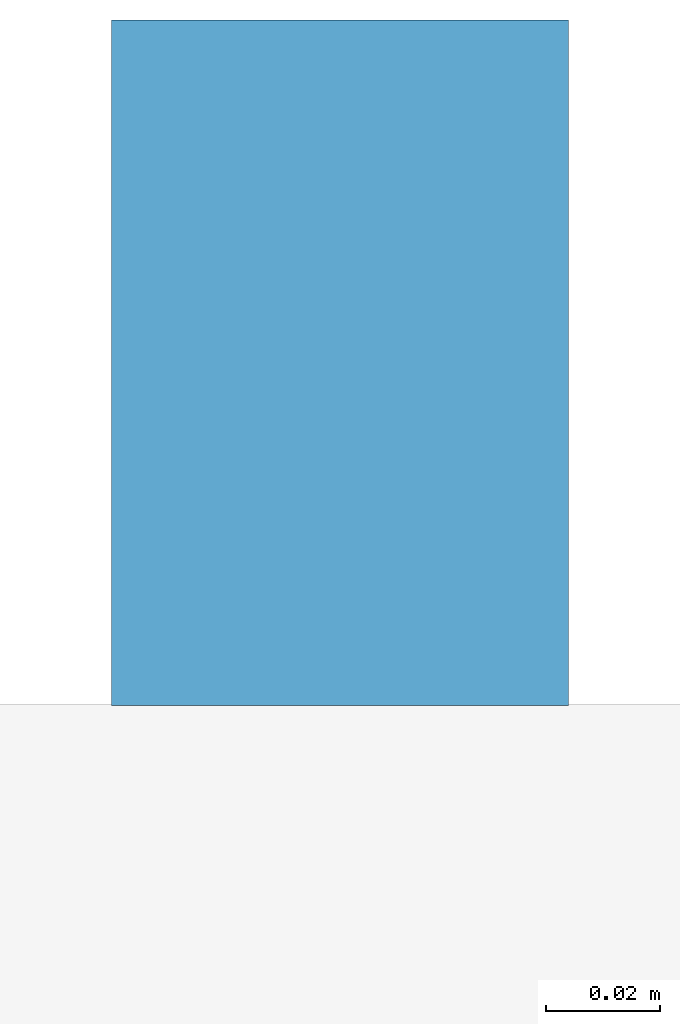
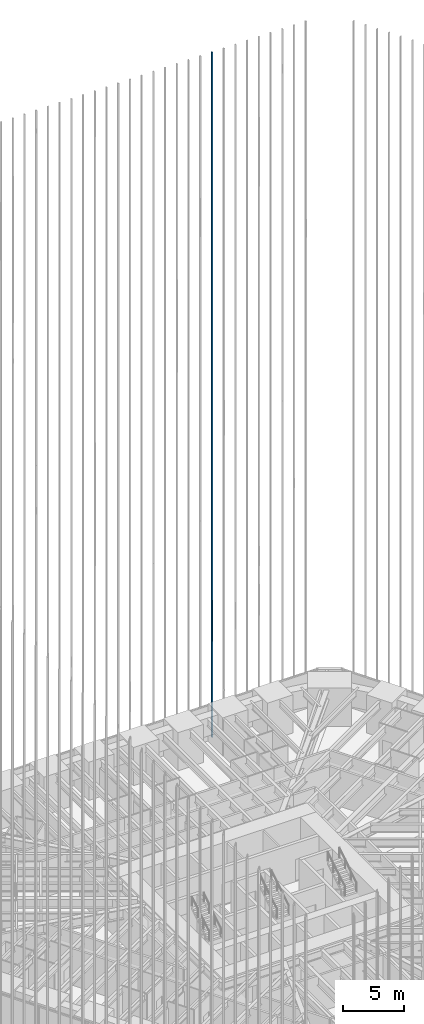
# One storey, part 226 of 256: 1 member, 1 element without a shape of its own.
"""IFC4 building model written with IfcOpenShell, lengths in metres."""

from ifc_helpers import new_model, si_unit, direction, frame, origin, origin_2d, place, context, subcontext, project, spatial, rectangle, extrude, material, material_profile, profile_set, type_object, element, aggregate, save


model = new_model("IFC4")

# Units and contexts
model_context = context("Model", 3, precision=1e-05, world=origin(), true_north=direction((0.0, 1.0)))
body_context = subcontext(model_context, "Body", "Model", "MODEL_VIEW")
ifc_project = project(units=[si_unit("LENGTHUNIT", "METRE"), si_unit("AREAUNIT", "SQUARE_METRE"), si_unit("VOLUMEUNIT", "CUBIC_METRE"), si_unit("PLANEANGLEUNIT", "RADIAN"), si_unit("MASSUNIT", "GRAM", prefix="KILO")], contexts=[model_context])

# Site, building, storey
site_placement = place(None, origin())
site = spatial("IfcSite", under=ifc_project, at=site_placement, CompositionType="ELEMENT")
building_placement = place(site_placement, origin())
building = spatial("IfcBuilding", under=site, at=building_placement, Name="Sandreach Pilgrim Tower", CompositionType="ELEMENT")
storey_placement = place(building_placement, frame((0.0, 0.0, 23.0)))
storey = spatial("IfcBuildingStorey", under=building, at=storey_placement, Name="L04", CompositionType="ELEMENT", Elevation=23.0)

# Curtain wall, member
ifc_material_1 = material(Name="Aluminium framed curtain wall", Category="aluminium")
curtain_wall_type = type_object("IfcCurtainWallType", Name="Hostel tower curtain wall", PredefinedType="NOTDEFINED", material=ifc_material_1)
curtain_wall_placement = place(storey_placement, origin())
curtain_wall = element("IfcCurtainWall", 1, at=curtain_wall_placement, inside=storey, type_object=curtain_wall_type, Name="CW-1 L04 N", PredefinedType="NOTDEFINED")
ifc_material_2 = material(Name="Extruded terracotta on aluminium core", Category="masonry")
ifc_material_profile = material_profile(ifc_material_2, rectangle(XDim=0.080078125, YDim=0.1201171875, at=origin_2d()), Name="TBN 80X120")
ifc_profile_set = profile_set([ifc_material_profile], Name="Extruded terracotta on aluminium core")
member_type = type_object("IfcMemberType", Name="Terracotta baguette north", PredefinedType="USERDEFINED", material=ifc_profile_set)
member_placement = place(storey_placement, frame((9.93994140625, 24.30859375, 0.0), z_axis=(0.0, 0.0, 1.0), x_axis=(1.0, 0.0, 0.0)))
member = element("IfcMember", 2, at=member_placement, type_object=member_type, Name="Baguette Z1 N27", ObjectType="BAGUETTE", PredefinedType="USERDEFINED", context=body_context, shape_type="SweptSolid", body=[
    extrude(rectangle(XDim=0.080078125, YDim=0.1201171875, at=origin_2d()), origin(), (0.0, 0.0, 1.0), 68.239990234375),
])
aggregate(curtain_wall, [member])

save(model, "model.ifc")
